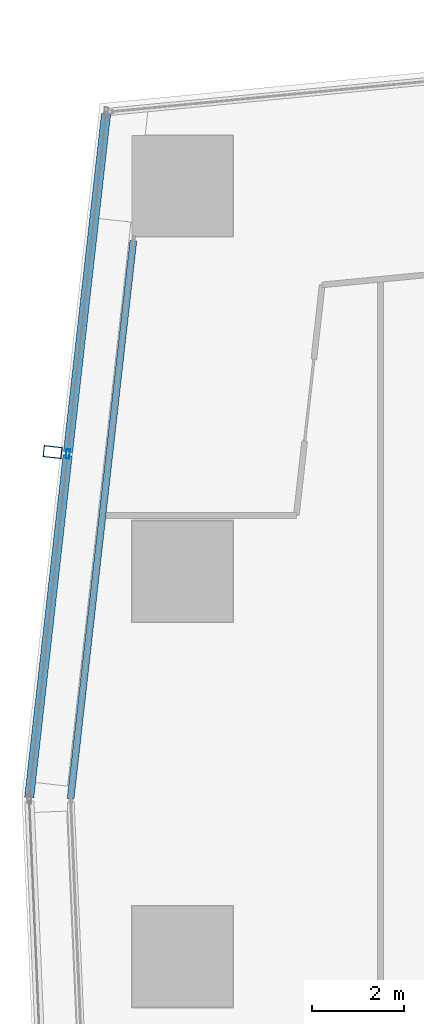
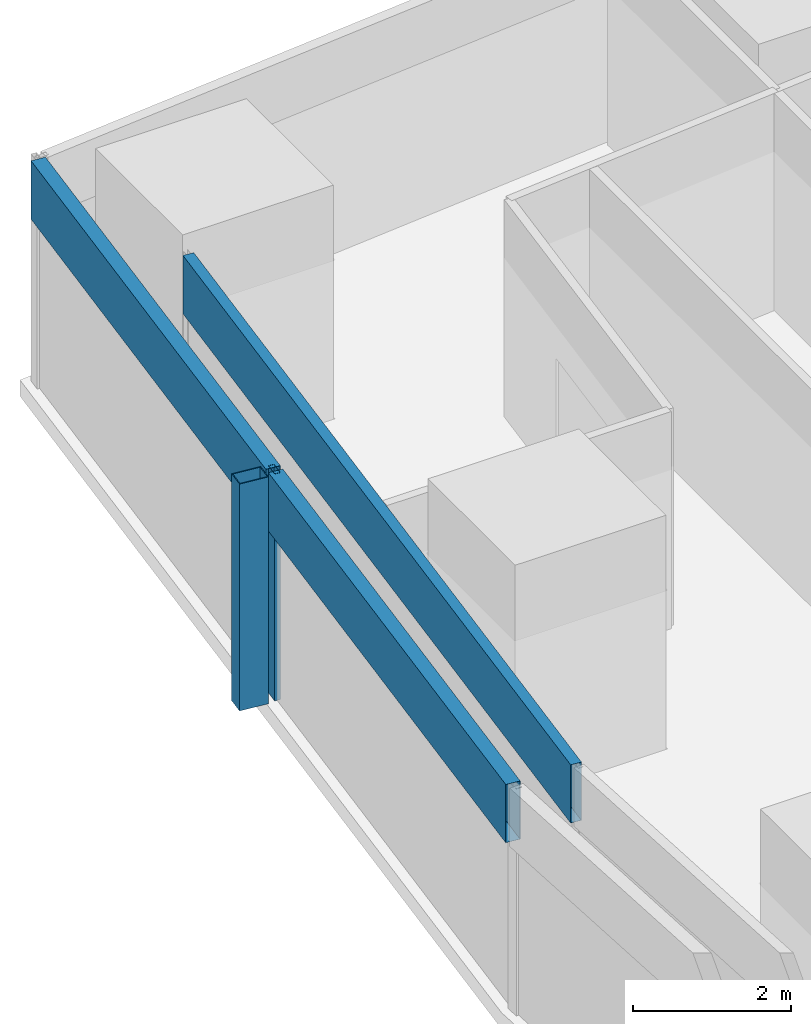
# One storey, part 15 of 42: 5 members, 2 elements without a shape of their own.
"""IFC4 building model written with IfcOpenShell, lengths in metres."""

from ifc_helpers import new_model, si_unit, direction, frame, origin, origin_2d, place, context, subcontext, project, spatial, hollow_rectangle, extrude, material, material_profile, profile_set, type_object, element, aggregate, save


model = new_model("IFC4")

# Units and contexts
model_context = context("Model", 3, precision=1e-05, world=origin(), true_north=direction((0.0, 1.0)))
body_context = subcontext(model_context, "Body", "Model", "MODEL_VIEW")
ifc_project = project(units=[si_unit("LENGTHUNIT", "METRE"), si_unit("AREAUNIT", "SQUARE_METRE"), si_unit("VOLUMEUNIT", "CUBIC_METRE"), si_unit("PLANEANGLEUNIT", "RADIAN"), si_unit("MASSUNIT", "GRAM", prefix="KILO")], contexts=[model_context])

# Site, building, storey
site_placement = place(None, origin())
site = spatial("IfcSite", under=ifc_project, at=site_placement, CompositionType="ELEMENT")
building_placement = place(site_placement, origin())
building = spatial("IfcBuilding", under=site, at=building_placement, Name="Rekha Terrace Tower", CompositionType="ELEMENT")
storey_placement = place(building_placement, frame((0.0, 0.0, 40.39990234375)))
storey = spatial("IfcBuildingStorey", under=building, at=storey_placement, Name="L09", CompositionType="ELEMENT", Elevation=40.39990234375)

# Curtain wall, member
ifc_material_1 = material(Name="Aluminium framing", Category="aluminium")
curtain_wall_type_1 = type_object("IfcCurtainWallType", Name="CW2 double skin outer glazing", PredefinedType="USERDEFINED", material=ifc_material_1)
curtain_wall_1_placement = place(storey_placement, origin())
curtain_wall_1 = element("IfcCurtainWall", 1, at=curtain_wall_1_placement, inside=storey, type_object=curtain_wall_type_1, Name="CW2 double skin outer glazing", ObjectType="DOUBLE SKIN OUTER GLAZING", PredefinedType="USERDEFINED")
ifc_material_2 = material(Name="Steel S355 with fluorocarbon finish", Category="steel")
ifc_material_profile_1 = material_profile(ifc_material_2, hollow_rectangle(XDim=0.25, YDim=0.39990234375, WallThickness=0.012451171875, at=origin_2d()), Name="RHS400x250x12.5")
ifc_profile_set_1 = profile_set([ifc_material_profile_1], Name="Steel S355 with fluorocarbon finish")
member_type_1 = type_object("IfcMemberType", Name="BL1 facade blade RHS 400 x 250", PredefinedType="USERDEFINED", material=ifc_profile_set_1)
member_1_placement = place(storey_placement, frame((5.569580078125, 53.001220703125, 0.0), z_axis=(0.0, 0.0, 1.0), x_axis=(-0.111729096216, -0.993738702607, 0.0)))
member_1 = element("IfcMember", 2, at=member_1_placement, type_object=member_type_1, Name="Facade blade", ObjectType="FACADE BLADE", PredefinedType="USERDEFINED", context=body_context, shape_type="SweptSolid", body=[
    extrude(hollow_rectangle(XDim=0.25, YDim=0.39990234375, WallThickness=0.012451171875, at=origin_2d()), origin(), (0.0, 0.0, 1.0), 3.5),
])

curtain_wall_type_2 = type_object("IfcCurtainWallType", Name="CW1 double skin inner glazing", PredefinedType="USERDEFINED", material=ifc_material_1)
curtain_wall_2_placement = place(storey_placement, origin())
curtain_wall_2 = element("IfcCurtainWall", 3, at=curtain_wall_2_placement, inside=storey, type_object=curtain_wall_type_2, Name="CW1 double skin inner glazing", ObjectType="DOUBLE SKIN INNER GLAZING", PredefinedType="USERDEFINED")
ifc_material_3 = material(Name="Insulated aluminium spandrel box", Category="aluminium")
ifc_material_profile_2 = material_profile(ifc_material_3, hollow_rectangle(XDim=0.14990234375, YDim=0.89990234375, WallThickness=0.0029296875, at=origin_2d()), Name="AL SPANDREL BOX 150x900")
ifc_profile_set_2 = profile_set([ifc_material_profile_2], Name="Insulated aluminium spandrel box")
member_type_2 = type_object("IfcMemberType", Name="CW1 spandrel transom 150 x 900", PredefinedType="USERDEFINED", material=ifc_profile_set_2)
member_2_placement = place(storey_placement, frame((7.33056640625, 57.611083984375, 3.050048828125), z_axis=(-0.111720442276, -0.993739675558, 0.0), x_axis=(0.993739675558, -0.111720442276, 0.0)))
member_2 = element("IfcMember", 4, at=member_2_placement, type_object=member_type_2, Name="CW1 spandrel transom 1", ObjectType="TRANSOM", PredefinedType="USERDEFINED", context=body_context, shape_type="SweptSolid", body=[
    extrude(hollow_rectangle(XDim=0.14990234375, YDim=0.89990234375, WallThickness=0.0029296875, at=origin_2d()), origin(), (0.0, 0.0, 1.0), 12.244140625),
])
aggregate(curtain_wall_2, [member_2])

# Member
ifc_material_4 = material(Name="Aluminium mullion section", Category="aluminium")
ifc_material_profile_3 = material_profile(ifc_material_4, hollow_rectangle(XDim=0.080078125, YDim=0.199951171875, WallThickness=0.00390625, at=origin_2d()), Name="AL RHS 80x200")
ifc_profile_set_3 = profile_set([ifc_material_profile_3], Name="Aluminium mullion section")
member_type_3 = type_object("IfcMemberType", Name="CW2 mullion RHS 80 x 200", PredefinedType="MULLION", material=ifc_profile_set_3)
member_3_placement = place(storey_placement, frame((5.90234375, 52.9638671875, 0.0), z_axis=(0.0, 0.0, 1.0), x_axis=(0.99373861552, -0.111729870782, 0.0)))
member_3 = element("IfcMember", 5, at=member_3_placement, type_object=member_type_3, Name="CW2 mullion 2", PredefinedType="MULLION", context=body_context, shape_type="SweptSolid", body=[
    extrude(hollow_rectangle(XDim=0.080078125, YDim=0.199951171875, WallThickness=0.00390625, at=origin_2d()), origin(), (0.0, 0.0, 1.0), 3.5),
])

ifc_material_profile_4 = material_profile(ifc_material_3, hollow_rectangle(XDim=0.199951171875, YDim=0.89990234375, WallThickness=0.0029296875, at=origin_2d()), Name="AL SPANDREL BOX 200x900")
ifc_profile_set_4 = profile_set([ifc_material_profile_4], Name="Insulated aluminium spandrel box")
member_type_4 = type_object("IfcMemberType", Name="CW2 spandrel transom 200 x 900", PredefinedType="USERDEFINED", material=ifc_profile_set_4)
member_4_placement = place(storey_placement, frame((6.735595703125, 60.37353515625, 3.050048828125), z_axis=(-0.111728537773, -0.993738765394, 0.0), x_axis=(0.993738765394, -0.111728537773, 0.0)))
member_4 = element("IfcMember", 6, at=member_4_placement, type_object=member_type_4, Name="CW2 spandrel transom 1", ObjectType="TRANSOM", PredefinedType="USERDEFINED", context=body_context, shape_type="SweptSolid", body=[
    extrude(hollow_rectangle(XDim=0.199951171875, YDim=0.89990234375, WallThickness=0.0029296875, at=origin_2d()), origin(), (0.0, 0.0, 1.0), 7.416259765625),
])

member_5_placement = place(storey_placement, frame((5.89794921875, 52.924072265625, 3.050048828125), z_axis=(-0.111739697795, -0.993737510582, 0.0), x_axis=(0.993737510582, -0.111739697795, 0.0)))
member_5 = element("IfcMember", 7, at=member_5_placement, type_object=member_type_4, Name="CW2 spandrel transom 2", ObjectType="TRANSOM", PredefinedType="USERDEFINED", context=body_context, shape_type="SweptSolid", body=[
    extrude(hollow_rectangle(XDim=0.199951171875, YDim=0.89990234375, WallThickness=0.0029296875, at=origin_2d()), origin(), (0.0, 0.0, 1.0), 7.496337890625),
])

aggregate(curtain_wall_1, [member_3, member_4, member_5, member_1])

save(model, "model.ifc")
